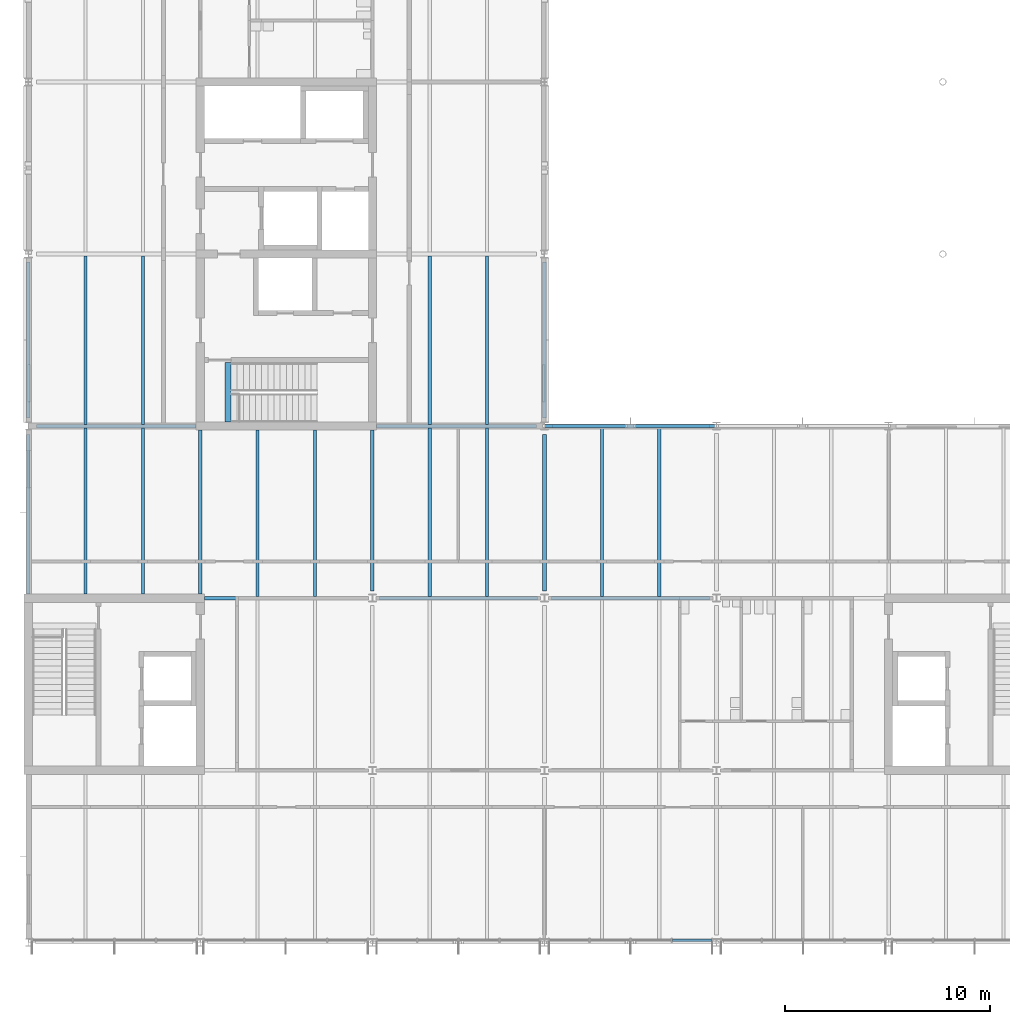
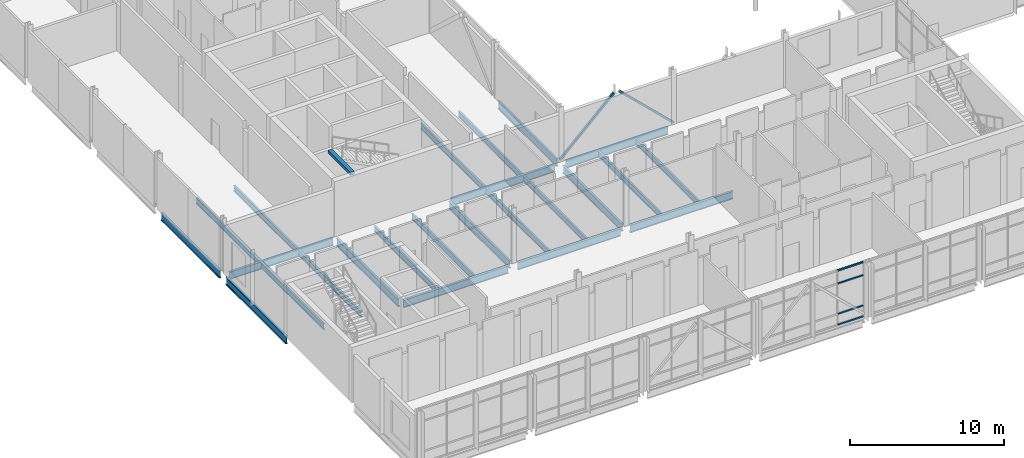
# One storey, part 13 of 89: 25 beams, 6 members, 1 element without a shape of its own.
"""IFC4 building model written with IfcOpenShell, lengths in metres."""

from ifc_helpers import new_model, si_unit, direction, frame, origin, origin_2d, place, context, subcontext, project, spatial, rectangle, hollow_rectangle, i_section, extrude, material, material_profile, profile_set, type_object, element, aggregate, save


model = new_model("IFC4")

# Units and contexts
model_context = context("Model", 3, precision=1e-05, world=origin(), true_north=direction((0.0, 1.0)))
body_context = subcontext(model_context, "Body", "Model", "MODEL_VIEW")
ifc_project = project(units=[si_unit("LENGTHUNIT", "METRE"), si_unit("AREAUNIT", "SQUARE_METRE"), si_unit("VOLUMEUNIT", "CUBIC_METRE"), si_unit("PLANEANGLEUNIT", "RADIAN"), si_unit("MASSUNIT", "GRAM", prefix="KILO")], contexts=[model_context])

# Site, building, storey
site_placement = place(None, origin())
site = spatial("IfcSite", under=ifc_project, at=site_placement, CompositionType="ELEMENT")
building_placement = place(site_placement, origin())
building = spatial("IfcBuilding", under=site, at=building_placement, Name="Hlaing Beacon Police Headquarters", CompositionType="ELEMENT")
storey_placement = place(building_placement, frame((0.0, 0.0, 9.89990234375)))
storey = spatial("IfcBuildingStorey", under=building, at=storey_placement, Name="L02", CompositionType="ELEMENT", Elevation=9.89990234375)

# Members
ifc_material_1 = material(Name="Steel ASTM A500 Grade C", Category="steel")
ifc_material_profile_1 = material_profile(ifc_material_1, hollow_rectangle(XDim=0.15234375, YDim=0.15234375, WallThickness=0.0126953125, at=origin_2d()), Name="HSS6x6x1/2")
ifc_profile_set_1 = profile_set([ifc_material_profile_1], Name="Steel ASTM A500 Grade C")
member_type_1 = type_object("IfcMemberType", Name="Chevron brace HSS6x6x1/2", PredefinedType="BRACE", material=ifc_profile_set_1)
member_1_placement = place(storey_placement, frame((33.55908203125, 33.60009765625, 0.05517578125), z_axis=(0.719732546267, 0.0, 0.694251439929), x_axis=(0.0, 1.0, 0.0)))
element("IfcMember", 1, at=member_1_placement, inside=storey, type_object=member_type_1, Name="STR-BR-L02-5Ea", PredefinedType="BRACE", context=body_context, shape_type="SweptSolid", body=[
    extrude(hollow_rectangle(XDim=0.15234375, YDim=0.15234375, WallThickness=0.0126953125, at=origin_2d()), origin(), (0.0, 0.0, 1.0), 5.614501953125),
])
member_2_placement = place(storey_placement, frame((42.04296875, 33.60009765625, 0.05517578125), z_axis=(-0.719900149017, 0.0, 0.694077643672), x_axis=(0.0, -1.0, 0.0)))
element("IfcMember", 2, at=member_2_placement, inside=storey, type_object=member_type_1, Name="STR-BR-L02-5Eb", PredefinedType="BRACE", context=body_context, shape_type="SweptSolid", body=[
    extrude(hollow_rectangle(XDim=0.15234375, YDim=0.15234375, WallThickness=0.0126953125, at=origin_2d()), origin(), (0.0, 0.0, 1.0), 5.615966796875),
])

# Beams
ifc_material_2 = material(Name="Steel ASTM A992 Grade 50", Category="steel")
ifc_material_profile_2 = material_profile(ifc_material_2, i_section(OverallWidth=0.177978515625, OverallDepth=0.599365234375, WebThickness=0.010009765625, FlangeThickness=0.012939453125, FilletRadius=0.012939453125, at=origin_2d()), Name="W24x55")
ifc_profile_set_2 = profile_set([ifc_material_profile_2], Name="Steel ASTM A992 Grade 50")
beam_type_1 = type_object("IfcBeamType", Name="Girder W24x55", PredefinedType="BEAM", material=ifc_profile_set_2)
beam_1_placement = place(storey_placement, frame((17.0, 25.199951171875, -0.4296875), z_axis=(1.0, 0.0, 0.0), x_axis=(0.0, 1.0, 0.0)))
element("IfcBeam", 3, at=beam_1_placement, inside=storey, type_object=beam_type_1, Name="STR-BM-L02-GX-C4-D4", PredefinedType="BEAM", context=body_context, shape_type="SweptSolid", body=[
    extrude(i_section(OverallWidth=0.177978515625, OverallDepth=0.599365234375, WebThickness=0.010009765625, FlangeThickness=0.012939453125, FilletRadius=0.012939453125, at=origin_2d()), origin(), (0.0, 0.0, 1.0), 7.85009765625),
])
for number, where, z_axis, x_axis, name in (
    (4, (25.550048828125, 25.199951171875, -0.4296875), (1.0, 0.0, 0.0), (0.0, 1.0, 0.0), "STR-BM-L02-GX-D4-E4"),
    (5, (33.949951171875, 25.199951171875, -0.4296875), (1.0, 0.0, 0.0), (0.0, 1.0, 0.0), "STR-BM-L02-GX-E4-F4"),
):
    element("IfcBeam", number, at=place(storey_placement, frame(where, z_axis=z_axis, x_axis=x_axis)), inside=storey, type_object=beam_type_1, Name=name, PredefinedType="BEAM", context=body_context, shape_type="SweptSolid", body=[
        extrude(i_section(OverallWidth=0.177978515625, OverallDepth=0.599365234375, WebThickness=0.010009765625, FlangeThickness=0.012939453125, FilletRadius=0.012939453125, at=origin_2d()), origin(), (0.0, 0.0, 1.0), 7.699951171875),
    ])
for number, where, z_axis, x_axis, name in (
    (6, (8.800048828125, 33.60009765625, -0.4296875), (1.0, 0.0, 0.0), (0.0, 1.0, 0.0), "STR-BM-L02-GX-B5-C5"),
    (7, (25.39990234375, 33.60009765625, -0.4296875), (1.0, 0.0, 0.0), (0.0, 1.0, 0.0), "STR-BM-L02-GX-D5-E5"),
):
    element("IfcBeam", number, at=place(storey_placement, frame(where, z_axis=z_axis, x_axis=x_axis)), inside=storey, type_object=beam_type_1, Name=name, PredefinedType="BEAM", context=body_context, shape_type="SweptSolid", body=[
        extrude(i_section(OverallWidth=0.177978515625, OverallDepth=0.599365234375, WebThickness=0.010009765625, FlangeThickness=0.012939453125, FilletRadius=0.012939453125, at=origin_2d()), origin(), (0.0, 0.0, 1.0), 7.800048828125),
    ])
beam_2_placement = place(storey_placement, frame((34.0, 33.60009765625, -0.4296875), z_axis=(1.0, 0.0, 0.0), x_axis=(0.0, 1.0, 0.0)))
element("IfcBeam", 8, at=beam_2_placement, inside=storey, type_object=beam_type_1, Name="STR-BM-L02-GX-E5-F5", PredefinedType="BEAM", context=body_context, shape_type="SweptSolid", body=[
    extrude(i_section(OverallWidth=0.177978515625, OverallDepth=0.599365234375, WebThickness=0.010009765625, FlangeThickness=0.012939453125, FilletRadius=0.012939453125, at=origin_2d()), origin(), (0.0, 0.0, 1.0), 7.64990234375),
])
beam_3_placement = place(storey_placement, frame((8.39990234375, 25.39990234375, -0.4296875), z_axis=(0.0, 1.0, 0.0), x_axis=(-1.0, 0.0, 0.0)))
element("IfcBeam", 9, at=beam_3_placement, inside=storey, type_object=beam_type_1, Name="STR-BM-L02-GY-B4-B5", PredefinedType="BEAM", context=body_context, shape_type="SweptSolid", body=[
    extrude(i_section(OverallWidth=0.177978515625, OverallDepth=0.599365234375, WebThickness=0.010009765625, FlangeThickness=0.012939453125, FilletRadius=0.012939453125, at=origin_2d()), origin(), (0.0, 0.0, 1.0), 7.800048828125),
])
beam_4_placement = place(storey_placement, frame((8.39990234375, 34.0, -0.4296875), z_axis=(0.0, 1.0, 0.0), x_axis=(-1.0, 0.0, 0.0)))
element("IfcBeam", 10, at=beam_4_placement, inside=storey, type_object=beam_type_1, Name="STR-BM-L02-GY-B5-B6", PredefinedType="BEAM", context=body_context, shape_type="SweptSolid", body=[
    extrude(i_section(OverallWidth=0.177978515625, OverallDepth=0.599365234375, WebThickness=0.010009765625, FlangeThickness=0.012939453125, FilletRadius=0.012939453125, at=origin_2d()), origin(), (0.0, 0.0, 1.0), 7.60009765625),
])
beam_5_placement = place(storey_placement, frame((16.800048828125, 25.39990234375, -0.4296875), z_axis=(0.0, 1.0, 0.0), x_axis=(-1.0, 0.0, 0.0)))
element("IfcBeam", 11, at=beam_5_placement, inside=storey, type_object=beam_type_1, Name="STR-BM-L02-GY-C4-C5", PredefinedType="BEAM", context=body_context, shape_type="SweptSolid", body=[
    extrude(i_section(OverallWidth=0.177978515625, OverallDepth=0.599365234375, WebThickness=0.010009765625, FlangeThickness=0.012939453125, FilletRadius=0.012939453125, at=origin_2d()), origin(), (0.0, 0.0, 1.0), 8.0),
])
beam_6_placement = place(storey_placement, frame((25.199951171875, 25.550048828125, -0.4296875), z_axis=(0.0, 1.0, 0.0), x_axis=(-1.0, 0.0, 0.0)))
element("IfcBeam", 12, at=beam_6_placement, inside=storey, type_object=beam_type_1, Name="STR-BM-L02-GY-D4-D5", PredefinedType="BEAM", context=body_context, shape_type="SweptSolid", body=[
    extrude(i_section(OverallWidth=0.177978515625, OverallDepth=0.599365234375, WebThickness=0.010009765625, FlangeThickness=0.012939453125, FilletRadius=0.012939453125, at=origin_2d()), origin(), (0.0, 0.0, 1.0), 7.849853515625),
])
beam_7_placement = place(storey_placement, frame((33.60009765625, 25.550048828125, -0.4296875), z_axis=(0.0, 1.0, 0.0), x_axis=(-1.0, 0.0, 0.0)))
element("IfcBeam", 13, at=beam_7_placement, inside=storey, type_object=beam_type_1, Name="STR-BM-L02-GY-E4-E5", PredefinedType="BEAM", context=body_context, shape_type="SweptSolid", body=[
    extrude(i_section(OverallWidth=0.177978515625, OverallDepth=0.599365234375, WebThickness=0.010009765625, FlangeThickness=0.012939453125, FilletRadius=0.012939453125, at=origin_2d()), origin(), (0.0, 0.0, 1.0), 7.64990234375),
])
beam_8_placement = place(storey_placement, frame((33.60009765625, 34.0, -0.4296875), z_axis=(0.0, 1.0, 0.0), x_axis=(-1.0, 0.0, 0.0)))
element("IfcBeam", 14, at=beam_8_placement, inside=storey, type_object=beam_type_1, Name="STR-BM-L02-GY-E5-E6", PredefinedType="BEAM", context=body_context, shape_type="SweptSolid", body=[
    extrude(i_section(OverallWidth=0.177978515625, OverallDepth=0.599365234375, WebThickness=0.010009765625, FlangeThickness=0.012939453125, FilletRadius=0.012939453125, at=origin_2d()), origin(), (0.0, 0.0, 1.0), 7.60009765625),
])
ifc_material_3 = material(Name="Steel ASTM A992 Grade 50", Category="steel")
ifc_material_profile_3 = material_profile(ifc_material_3, i_section(OverallWidth=0.15234375, OverallDepth=0.449462890625, WebThickness=0.007568359375, FlangeThickness=0.0107421875, FilletRadius=0.01025390625, at=origin_2d()), Name="W18x35")
ifc_profile_set_3 = profile_set([ifc_material_profile_3], Name="Steel ASTM A992 Grade 50")
beam_type_2 = type_object("IfcBeamType", Name="Secondary beam W18x35", PredefinedType="BEAM", material=ifc_profile_set_3)
for number, where, z_axis, x_axis, name in (
    (15, (11.199951171875, 25.39990234375, -0.354736328125), (0.0, 1.0, 0.0), (-1.0, 0.0, 0.0), "STR-BM-L02-SB-B4-y1"),
    (16, (14.0, 25.39990234375, -0.354736328125), (0.0, 1.0, 0.0), (-1.0, 0.0, 0.0), "STR-BM-L02-SB-B4-y2"),
):
    element("IfcBeam", number, at=place(storey_placement, frame(where, z_axis=z_axis, x_axis=x_axis)), inside=storey, type_object=beam_type_2, Name=name, PredefinedType="BEAM", context=body_context, shape_type="SweptSolid", body=[
        extrude(i_section(OverallWidth=0.15234375, OverallDepth=0.449462890625, WebThickness=0.007568359375, FlangeThickness=0.0107421875, FilletRadius=0.01025390625, at=origin_2d()), origin(), (0.0, 0.0, 1.0), 8.111083984375),
    ])
for number, where, z_axis, x_axis, name in (
    (17, (11.199951171875, 33.68896484375, -0.354736328125), (0.0, 1.0, 0.0), (-1.0, 0.0, 0.0), "STR-BM-L02-SB-B5-y1"),
    (18, (14.0, 33.68896484375, -0.354736328125), (0.0, 1.0, 0.0), (-1.0, 0.0, 0.0), "STR-BM-L02-SB-B5-y2"),
):
    element("IfcBeam", number, at=place(storey_placement, frame(where, z_axis=z_axis, x_axis=x_axis)), inside=storey, type_object=beam_type_2, Name=name, PredefinedType="BEAM", context=body_context, shape_type="SweptSolid", body=[
        extrude(i_section(OverallWidth=0.15234375, OverallDepth=0.449462890625, WebThickness=0.007568359375, FlangeThickness=0.0107421875, FilletRadius=0.01025390625, at=origin_2d()), origin(), (0.0, 0.0, 1.0), 8.221923828125),
    ])
for number, where, z_axis, x_axis, name in (
    (19, (19.60009765625, 25.2890625, -0.354736328125), (0.0, 1.0, 0.0), (-1.0, 0.0, 0.0), "STR-BM-L02-SB-C4-y1"),
    (20, (22.39990234375, 25.2890625, -0.354736328125), (0.0, 1.0, 0.0), (-1.0, 0.0, 0.0), "STR-BM-L02-SB-C4-y2"),
):
    element("IfcBeam", number, at=place(storey_placement, frame(where, z_axis=z_axis, x_axis=x_axis)), inside=storey, type_object=beam_type_2, Name=name, PredefinedType="BEAM", context=body_context, shape_type="SweptSolid", body=[
        extrude(i_section(OverallWidth=0.15234375, OverallDepth=0.449462890625, WebThickness=0.007568359375, FlangeThickness=0.0107421875, FilletRadius=0.01025390625, at=origin_2d()), origin(), (0.0, 0.0, 1.0), 8.11083984375),
    ])
for number, where, z_axis, x_axis, name in (
    (21, (28.0, 25.2890625, -0.354736328125), (0.0, 1.0, 0.0), (-1.0, 0.0, 0.0), "STR-BM-L02-SB-D4-y1"),
    (22, (30.800048828125, 25.2890625, -0.354736328125), (0.0, 1.0, 0.0), (-1.0, 0.0, 0.0), "STR-BM-L02-SB-D4-y2"),
    (23, (28.0, 33.68896484375, -0.354736328125), (0.0, 1.0, 0.0), (-1.0, 0.0, 0.0), "STR-BM-L02-SB-D5-y1"),
    (24, (30.800048828125, 33.68896484375, -0.354736328125), (0.0, 1.0, 0.0), (-1.0, 0.0, 0.0), "STR-BM-L02-SB-D5-y2"),
    (25, (36.39990234375, 25.2890625, -0.354736328125), (0.0, 1.0, 0.0), (-1.0, 0.0, 0.0), "STR-BM-L02-SB-E4-y1"),
    (26, (39.199951171875, 25.2890625, -0.354736328125), (0.0, 1.0, 0.0), (-1.0, 0.0, 0.0), "STR-BM-L02-SB-E4-y2"),
):
    element("IfcBeam", number, at=place(storey_placement, frame(where, z_axis=z_axis, x_axis=x_axis)), inside=storey, type_object=beam_type_2, Name=name, PredefinedType="BEAM", context=body_context, shape_type="SweptSolid", body=[
        extrude(i_section(OverallWidth=0.15234375, OverallDepth=0.449462890625, WebThickness=0.007568359375, FlangeThickness=0.0107421875, FilletRadius=0.01025390625, at=origin_2d()), origin(), (0.0, 0.0, 1.0), 8.221923828125),
    ])
ifc_material_4 = material(Name="Concrete C40/50", Category="concrete")
ifc_material_profile_4 = material_profile(ifc_material_4, rectangle(XDim=0.300048828125, YDim=0.25, at=origin_2d()), Name="Stair arrival beam 300x250")
ifc_profile_set_4 = profile_set([ifc_material_profile_4], Name="Concrete C40/50")
beam_type_3 = type_object("IfcBeamType", Name="Stair arrival beam 300x250", PredefinedType="BEAM", material=ifc_profile_set_4)
beam_9_placement = place(storey_placement, frame((18.159912109375, 33.800048828125, 4.2451171875), z_axis=(0.0, 1.0, 0.0), x_axis=(-1.0, 0.0, 0.0)))
element("IfcBeam", 27, at=beam_9_placement, inside=storey, type_object=beam_type_3, Name="Stair arrival beam ST-N", PredefinedType="BEAM", context=body_context, shape_type="SweptSolid", body=[
    extrude(rectangle(XDim=0.300048828125, YDim=0.25, at=origin_2d()), origin(), (0.0, 0.0, 1.0), 2.89990234375),
])

# Curtain wall, members
ifc_material_5 = material(Name="Aluminium frame with solar control glazing", Category="aluminium")
curtain_wall_type = type_object("IfcCurtainWallType", Name="Unitised curtain wall 8.03 x 4.37", PredefinedType="NOTDEFINED", material=ifc_material_5)
curtain_wall_placement = place(storey_placement, origin())
curtain_wall = element("IfcCurtainWall", 28, at=curtain_wall_placement, inside=storey, type_object=curtain_wall_type, Name="ENV-CW-L02-S012", PredefinedType="NOTDEFINED")
ifc_material_6 = material(Name="Aluminium", Category="aluminium")
ifc_material_profile_5 = material_profile(ifc_material_6, rectangle(XDim=0.1201171875, YDim=0.10009765625, at=origin_2d()), Name="Transom 120x100")
ifc_profile_set_5 = profile_set([ifc_material_profile_5], Name="Aluminium")
member_type_2 = type_object("IfcMemberType", Name="Transom 120x100", PredefinedType="USERDEFINED", material=ifc_profile_set_5)
member_3_placement = place(storey_placement, frame((39.83740234375, 8.5, 0.050048828125), z_axis=(1.0, 0.0, 0.0), x_axis=(0.0, 1.0, 0.0)))
member_3 = element("IfcMember", 29, at=member_3_placement, type_object=member_type_2, Name="CW-L02-S012 transom 4.1", ObjectType="TRANSOM", PredefinedType="USERDEFINED", context=body_context, shape_type="SweptSolid", body=[
    extrude(rectangle(XDim=0.1201171875, YDim=0.10009765625, at=origin_2d()), origin(), (0.0, 0.0, 1.0), 1.917236328125),
])
member_4_placement = place(storey_placement, frame((39.83740234375, 8.5, 0.900146484375), z_axis=(1.0, 0.0, 0.0), x_axis=(0.0, 1.0, 0.0)))
member_4 = element("IfcMember", 30, at=member_4_placement, type_object=member_type_2, Name="CW-L02-S012 transom 4.2", ObjectType="TRANSOM", PredefinedType="USERDEFINED", context=body_context, shape_type="SweptSolid", body=[
    extrude(rectangle(XDim=0.1201171875, YDim=0.10009765625, at=origin_2d()), origin(), (0.0, 0.0, 1.0), 1.917236328125),
])
member_5_placement = place(storey_placement, frame((39.83740234375, 8.5, 3.300048828125), z_axis=(1.0, 0.0, 0.0), x_axis=(0.0, 1.0, 0.0)))
member_5 = element("IfcMember", 31, at=member_5_placement, type_object=member_type_2, Name="CW-L02-S012 transom 4.3", ObjectType="TRANSOM", PredefinedType="USERDEFINED", context=body_context, shape_type="SweptSolid", body=[
    extrude(rectangle(XDim=0.1201171875, YDim=0.10009765625, at=origin_2d()), origin(), (0.0, 0.0, 1.0), 1.917236328125),
])
member_6_placement = place(storey_placement, frame((39.83740234375, 8.5, 4.320068359375), z_axis=(1.0, 0.0, 0.0), x_axis=(0.0, 1.0, 0.0)))
member_6 = element("IfcMember", 32, at=member_6_placement, type_object=member_type_2, Name="CW-L02-S012 transom 4.4", ObjectType="TRANSOM", PredefinedType="USERDEFINED", context=body_context, shape_type="SweptSolid", body=[
    extrude(rectangle(XDim=0.1201171875, YDim=0.10009765625, at=origin_2d()), origin(), (0.0, 0.0, 1.0), 1.917236328125),
])
aggregate(curtain_wall, [member_3, member_4, member_5, member_6])

save(model, "model.ifc")
